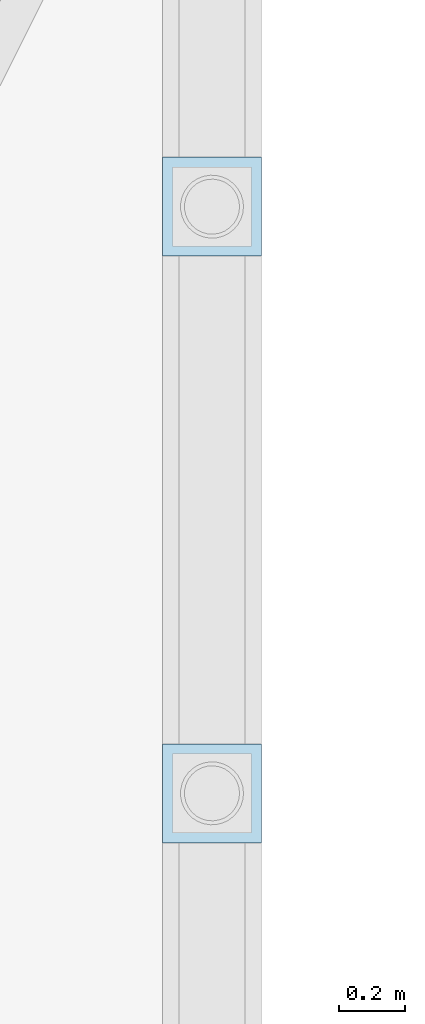
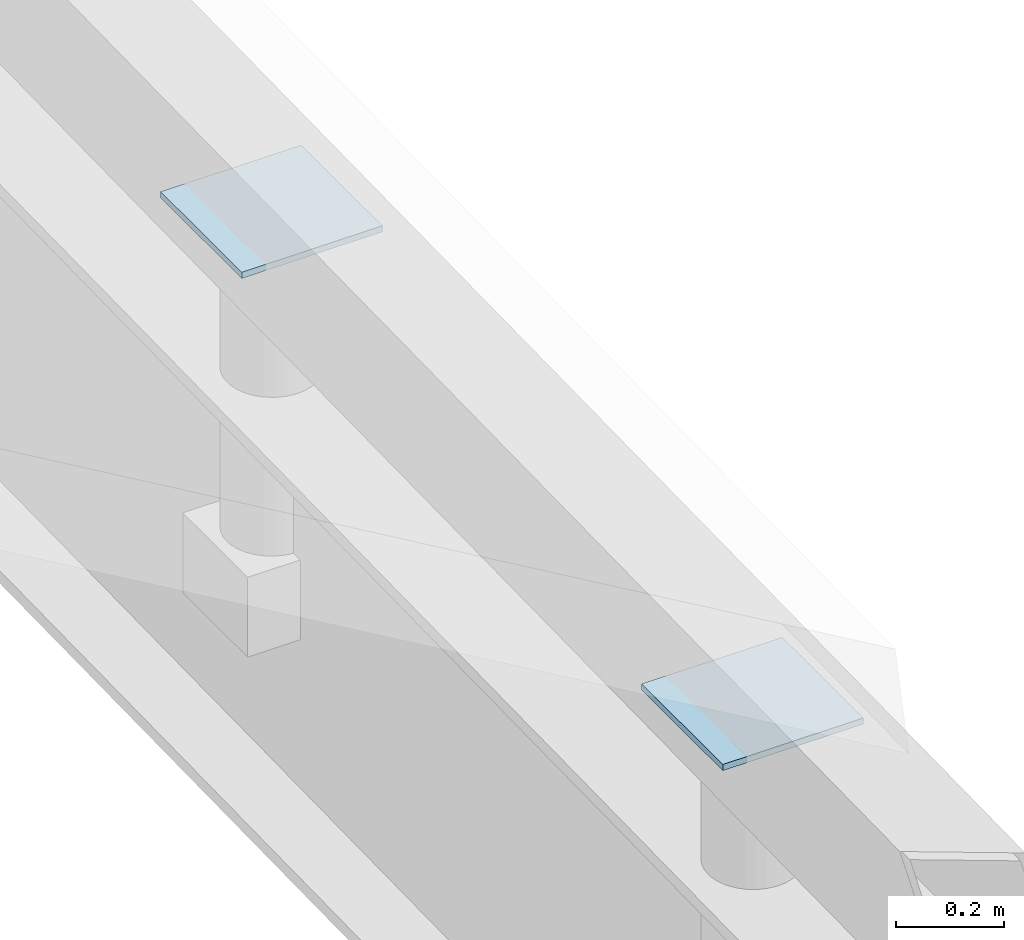
# One storey, part 33 of 41: 2 plates.
"""IFC4 building model written with IfcOpenShell, lengths in metres."""

import ifcopenshell
import ifcopenshell.guid

model = None  # the IFC model being written
_history = None  # IfcOwnerHistory: only IFC2X3 demands one
_inside = {}  # id of a spatial element -> (the spatial element, [elements in it])
_under = {}  # id of a project, library or spatial element -> (it, [spatial elements below it])
_declared = {}  # id of a project -> (the project, [libraries it declares])
_typed = {}  # id of a type object -> (the type object, [elements of that type])
_made_of = {}  # id of a material, layer set ... -> (it, [elements and type objects made of it])


def new_model(schema):
    """Start an empty IFC model of exactly this schema.

    Asked for "IFC4X3", IfcOpenShell would pick the latest addendum, in which some entities
    have other attributes; the version numbers below select the first issue.
    IFC2X3 requires an IfcOwnerHistory on every rooted entity: one is made here for all.
    """
    global model, _history
    if schema == "IFC4X3":
        model = ifcopenshell.file(schema_version=(4, 3, 0, 0))
    else:
        model = ifcopenshell.file(schema=schema)
    _inside.clear()
    _under.clear()
    _declared.clear()
    _typed.clear()
    _made_of.clear()
    _history = None
    if model.schema == "IFC2X3":
        org = make("IfcOrganization", Name="unknown")
        user = make(
            "IfcPersonAndOrganization",
            ThePerson=make("IfcPerson", FamilyName="unknown"),
            TheOrganization=org,
        )
        app = make(
            "IfcApplication",
            ApplicationDeveloper=org,
            Version="unknown",
            ApplicationFullName="unknown",
            ApplicationIdentifier="unknown",
        )
        _history = make(
            "IfcOwnerHistory",
            OwningUser=user,
            OwningApplication=app,
            ChangeAction="ADDED",
            CreationDate=0,
        )
    return model


def make(cls, **values):
    """One entity of the class cls with the attributes given. An attribute that is None is left unset."""
    return model.create_entity(
        cls, **{name: value for name, value in values.items() if value is not None}
    )


def rooted(cls, **values):
    """An entity with a GlobalId (a new one), such as an element, a storey or a relation."""
    return make(cls, GlobalId=ifcopenshell.guid.new(), OwnerHistory=_history, **values)


def si_unit(unit_type, name, prefix=None):
    """IfcSIUnit, for example si_unit("LENGTHUNIT", "METRE", prefix="MILLI")."""
    return make("IfcSIUnit", UnitType=unit_type, Prefix=prefix, Name=name)


def assignment(units):
    """IfcUnitAssignment: the units of a project."""
    return None if units is None else make("IfcUnitAssignment", Units=units)


def point(xyz):
    """IfcCartesianPoint."""
    return None if xyz is None else make("IfcCartesianPoint", Coordinates=xyz)


def direction(xyz):
    """IfcDirection."""
    return None if xyz is None else make("IfcDirection", DirectionRatios=xyz)


def frame(location, z_axis=None, x_axis=None):
    """IfcAxis2Placement3D, a coordinate frame: its origin and axes. An axis left out is left unset."""
    return make(
        "IfcAxis2Placement3D",
        Location=point(location),
        Axis=direction(z_axis),
        RefDirection=direction(x_axis),
    )


def frame_2d(location, x_axis=None):
    """IfcAxis2Placement2D, a coordinate frame in the plane: its origin and x axis."""
    return make(
        "IfcAxis2Placement2D", Location=point(location), RefDirection=direction(x_axis)
    )


def origin():
    """The frame at (0, 0, 0) with its axes left unset."""
    return frame((0.0, 0.0, 0.0))


def origin_2d():
    """The frame at (0, 0) in the plane with its x axis left unset."""
    return frame_2d((0.0, 0.0))


def place(relative_to, where):
    """IfcLocalPlacement: puts the frame where relative to a parent placement (None: the world)."""
    return make(
        "IfcLocalPlacement", PlacementRelTo=relative_to, RelativePlacement=where
    )


def context(
    kind, dimensions, precision=None, world=None, true_north=None, identifier=None
):
    """IfcGeometricRepresentationContext, for example the 3D "Model" context."""
    return make(
        "IfcGeometricRepresentationContext",
        ContextIdentifier=identifier,
        ContextType=kind,
        CoordinateSpaceDimension=dimensions,
        Precision=precision,
        WorldCoordinateSystem=world,
        TrueNorth=true_north,
    )


def subcontext(parent, identifier, kind, view, scale=None):
    """IfcGeometricRepresentationSubContext, for example "Body" below "Model"."""
    return make(
        "IfcGeometricRepresentationSubContext",
        ContextIdentifier=identifier,
        ContextType=kind,
        ParentContext=parent,
        TargetScale=scale,
        TargetView=view,
    )


def project(units=None, contexts=None):
    """IfcProject with its units and contexts."""
    return rooted(
        "IfcProject",
        Name="project",
        RepresentationContexts=contexts,
        UnitsInContext=assignment(units),
    )


def spatial(cls, under=None, at=None, **own):
    """A site, building, storey or space (cls), placed at a placement, below another one or the project."""
    s = rooted(cls, ObjectPlacement=at, **own)
    if under is not None:
        _under.setdefault(under.id(), (under, []))[1].append(s)
    return s


def profile(cls, at=None, kind="AREA", **sizes):
    """A parametric profile (cls). Its sizes go by their IFC names, for example OverallWidth=200.0."""
    return make(cls, ProfileType=kind, Position=at, **sizes)


def rectangle(**sizes):
    """IfcRectangleProfileDef."""
    return profile("IfcRectangleProfileDef", **sizes)


def extrude(swept, where, along, depth):
    """IfcExtrudedAreaSolid: the profile swept, set in the frame where, extruded along a direction by depth."""
    return make(
        "IfcExtrudedAreaSolid",
        SweptArea=swept,
        Position=where,
        ExtrudedDirection=direction(along),
        Depth=depth,
    )


def shape(context_of_items, identifier, shape_type, items):
    """IfcShapeRepresentation: the items that make up one representation, for example the "Body"."""
    return make(
        "IfcShapeRepresentation",
        ContextOfItems=context_of_items,
        RepresentationIdentifier=identifier,
        RepresentationType=shape_type,
        Items=items,
    )


def material(Name=None, Category=None):
    """IfcMaterial."""
    return make("IfcMaterial", Name=Name, Category=Category)


def layer(
    of_material, thickness, ventilated=None, Name=None, Category=None, Priority=None
):
    """IfcMaterialLayer: one layer of a wall or slab, of a material (None: an air gap)."""
    return make(
        "IfcMaterialLayer",
        Material=of_material,
        LayerThickness=thickness,
        IsVentilated=ventilated,
        Name=Name,
        Category=Category,
        Priority=Priority,
    )


def layer_set(layers, Name=None):
    """IfcMaterialLayerSet."""
    return make("IfcMaterialLayerSet", MaterialLayers=layers, LayerSetName=Name)


def made_of(thing, what):
    """Note that an element or type object is made of a material, layer set ...; save() writes the relation."""
    if what is not None:
        _made_of.setdefault(what.id(), (what, []))[1].append(thing)
    return thing


def type_object(cls, material=None, **own):
    """A type object (cls), such as IfcWallType, which elements share."""
    return made_of(rooted(cls, **own), material)


def element(
    cls,
    number,
    at=None,
    inside=None,
    cuts=None,
    type_object=None,
    material=None,
    context=None,
    identifier="Body",
    shape_type=None,
    held_by="IfcProductDefinitionShape",
    body=None,
    shapes=None,
    **own,
):
    """One element of the class cls, such as IfcWall. Its Tag is "e" and its number.

    at: its placement. inside: the storey or other place that contains it. cuts: it is an
    opening in that element (IfcRelVoidsElement). A single representation is given by context,
    identifier, shape_type and body (its items); several are given by shapes. held_by: the class
    of the entity that holds the representations. save() writes the other relations.
    """
    e = rooted(cls, Tag="e%d" % number, ObjectPlacement=at, **own)
    if body is not None:
        shapes = [shape(context, identifier, shape_type, body)]
    if shapes is not None:
        e.Representation = make(held_by, Representations=shapes)
    if inside is not None:
        _inside.setdefault(inside.id(), (inside, []))[1].append(e)
    if cuts is not None:
        rooted(
            "IfcRelVoidsElement", RelatingBuildingElement=cuts, RelatedOpeningElement=e
        )
    if type_object is not None:
        _typed.setdefault(type_object.id(), (type_object, []))[1].append(e)
    return made_of(e, material)


def aggregate(whole, parts):
    """IfcRelAggregates: a whole, such as a stair, and the parts it consists of."""
    return rooted("IfcRelAggregates", RelatingObject=whole, RelatedObjects=parts)


def save(model, path):
    """Write the relations noted so far, then the file.

    IfcRelAggregates (storeys below a building ...), IfcRelContainedInSpatialStructure (elements
    in a storey), IfcRelDefinesByType, IfcRelAssociatesMaterial and IfcRelDeclares: one each for
    every whole, place, type object, material and project.
    """
    for whole, parts in _under.values():
        aggregate(whole, parts)
    for where, things in _inside.values():
        rooted(
            "IfcRelContainedInSpatialStructure",
            RelatedElements=things,
            RelatingStructure=where,
        )
    for kind, things in _typed.values():
        rooted("IfcRelDefinesByType", RelatedObjects=things, RelatingType=kind)
    for what, things in _made_of.values():
        rooted("IfcRelAssociatesMaterial", RelatedObjects=things, RelatingMaterial=what)
    for by, libraries in _declared.values():
        rooted("IfcRelDeclares", RelatingContext=by, RelatedDefinitions=libraries)
    model.write(path)


model = new_model("IFC4")

# Units and contexts
model_context = context("Model", 3, precision=1e-05, world=origin(), true_north=direction((0.0, 1.0)))
body_context = subcontext(model_context, "Body", "Model", "MODEL_VIEW")
ifc_project = project(units=[si_unit("LENGTHUNIT", "METRE"), si_unit("AREAUNIT", "SQUARE_METRE"), si_unit("VOLUMEUNIT", "CUBIC_METRE"), si_unit("PLANEANGLEUNIT", "RADIAN"), si_unit("MASSUNIT", "GRAM", prefix="KILO")], contexts=[model_context])

# Site, building, storey
site_placement = place(None, origin())
site = spatial("IfcSite", under=ifc_project, at=site_placement, CompositionType="ELEMENT")
building_placement = place(site_placement, origin())
building = spatial("IfcBuilding", under=site, at=building_placement, Name="Haebicheon Civic Stadium", CompositionType="ELEMENT")
storey_placement = place(building_placement, frame((0.0, 0.0, 27.0)))
storey = spatial("IfcBuildingStorey", under=building, at=storey_placement, Name="L07", CompositionType="ELEMENT", Elevation=27.0)

# Plates
ifc_material = material(Name="White painted steel SM490", Category="steel")
ifc_layer = layer(ifc_material, 0.013916015625, Name="White painted steel SM490")
ifc_layer_set = layer_set([ifc_layer], Name="White painted steel SM490")
plate_type = type_object("IfcPlateType", Name="PLT-CAP-14", PredefinedType="SHEET", material=ifc_layer_set)
for number, where, z_axis, x_axis, name in (
    (1, (152.0, 132.444091796875, 2.2158203125), (0.0, 0.0, 1.0), (1.0, 0.0, 0.0), "CAN-EAST hanger clevis cap plate 8.7"),
    (2, (152.0, 134.221923828125, 2.248046875), (0.0, 0.0, 1.0), (1.0, 0.0, 0.0), "CAN-EAST hanger clevis cap plate 8.8"),
):
    element("IfcPlate", number, at=place(storey_placement, frame(where, z_axis=z_axis, x_axis=x_axis)), inside=storey, type_object=plate_type, material=ifc_layer_set, Name=name, PredefinedType="SHEET", context=body_context, shape_type="SweptSolid", body=[
        extrude(rectangle(XDim=0.300048828125, YDim=0.300048828125, at=origin_2d()), origin(), (0.0, 0.0, 1.0), 0.013916015625),
    ])

save(model, "model.ifc")
